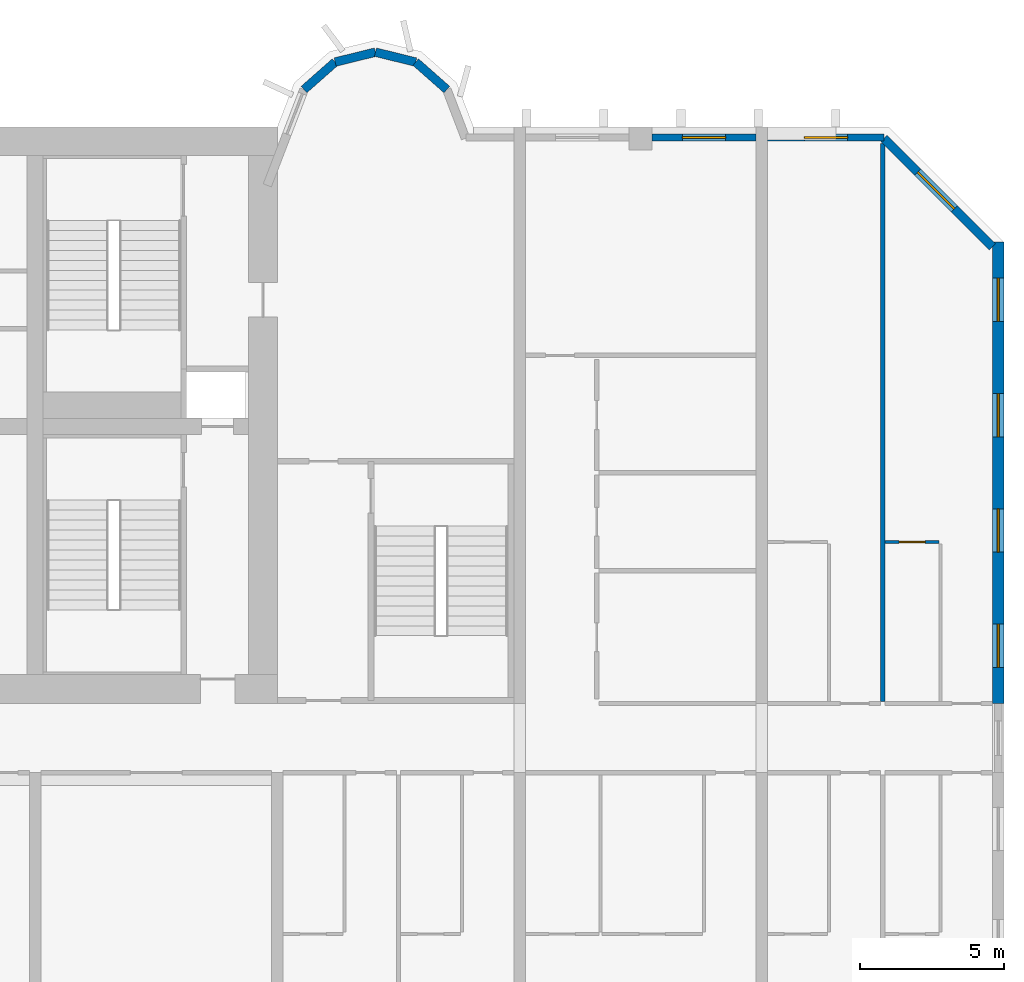
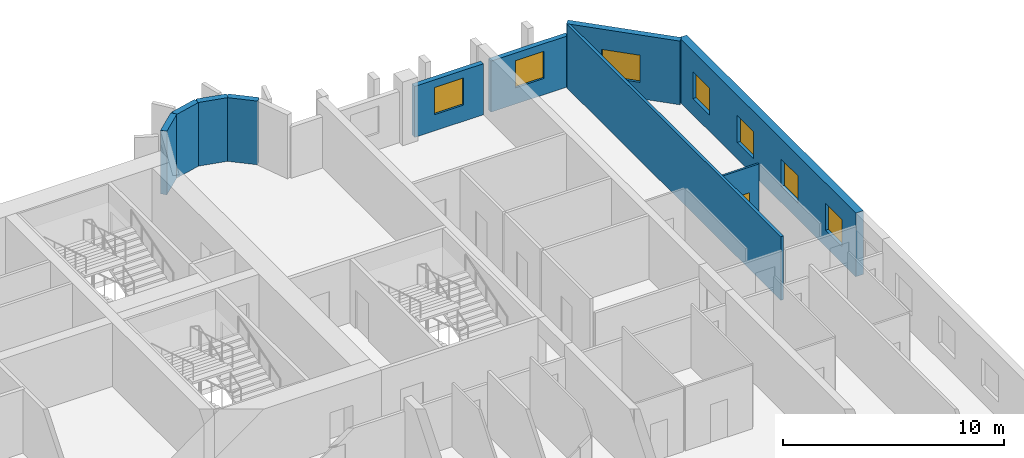
# One storey, part 11 of 15: 10 walls, 7 windows, 1 door, 8 openings.
"""IFC4 building model written with IfcOpenShell, lengths in metres."""

from ifc_helpers import new_model, si_unit, direction, frame, frame_2d, origin, place, context, subcontext, project, spatial, rectangle, extrude, source, transform, mapped, material, layer, layer_set, type_object, element, fill, save


model = new_model("IFC4")

# Units and contexts
model_context = context("Model", 3, precision=1e-05, world=origin(), true_north=direction((0.0, 1.0)))
body_context = subcontext(model_context, "Body", "Model", "MODEL_VIEW")
ifc_project = project(units=[si_unit("LENGTHUNIT", "METRE"), si_unit("AREAUNIT", "SQUARE_METRE"), si_unit("VOLUMEUNIT", "CUBIC_METRE"), si_unit("PLANEANGLEUNIT", "RADIAN"), si_unit("MASSUNIT", "GRAM", prefix="KILO")], contexts=[model_context])

# Site, building, storey
site_placement = place(None, origin())
site = spatial("IfcSite", under=ifc_project, at=site_placement, CompositionType="ELEMENT")
building_placement = place(site_placement, origin())
building = spatial("IfcBuilding", under=site, at=building_placement, Name="Vanashikhar Sky Hotel", CompositionType="ELEMENT")
storey_placement = place(building_placement, frame((0.0, 0.0, 77.199951171875)))
storey = spatial("IfcBuildingStorey", under=building, at=storey_placement, Name="L18", CompositionType="ELEMENT", Elevation=77.199951171875)

# Wall, openings, windows
ifc_material_1 = material(Name="Concrete M80", Category="concrete")
ifc_layer_1 = layer(ifc_material_1, 0.39990234375)
ifc_layer_set_1 = layer_set([ifc_layer_1], Name="RC shear wall 400 Concrete M80")
wall_type_1 = type_object("IfcWallType", Name="RC shear wall 400 Concrete M80", PredefinedType="SHEAR", material=ifc_layer_set_1)
shared_shape_1 = source(origin(), body_context, "Body", "SweptSolid", [
    extrude(rectangle(XDim=16.0, YDim=0.39990234375, at=frame_2d((8.0, 0.0))), origin(), (0.0, 0.0, 1.0), 3.52001953125),
])
wall_1_placement = place(storey_placement, frame((100.60009765625, 22.0, 0.0), z_axis=(0.0, 0.0, 1.0), x_axis=(0.0, 1.0, 0.0)))
wall_1 = element("IfcWall", 1, at=wall_1_placement, inside=storey, type_object=wall_type_1, Name="CW-L18-XW13-2", PredefinedType="SHEAR", context=body_context, shape_type="MappedRepresentation", body=[
    mapped(shared_shape_1, transform((0.0, 0.0, 0.0), scale=1.0)),
])
shared_shape_2 = source(origin(), body_context, "Body", "SweptSolid", [
    extrude(rectangle(XDim=1.5, YDim=1.5, at=frame_2d((0.75, 0.75))), frame((0.0, 0.2099609375, 0.0), z_axis=(0.0, -1.0, 0.0), x_axis=(1.0, 0.0, 0.0)), (0.0, 0.0, 1.0), 0.419921875),
])
opening_1_placement = place(wall_1_placement, frame((1.25, 0.0, 0.89990234375)))
opening_1 = element("IfcOpeningElement", 2, at=opening_1_placement, cuts=wall_1, Name="Opening WN-1", PredefinedType="OPENING", context=body_context, shape_type="MappedRepresentation", body=[
    mapped(shared_shape_2, transform((0.0, 0.0, 0.0), scale=1.0)),
])
opening_2_placement = place(wall_1_placement, frame((5.25, 0.0, 0.89990234375)))
opening_2 = element("IfcOpeningElement", 3, at=opening_2_placement, cuts=wall_1, Name="Opening WN-1", PredefinedType="OPENING", context=body_context, shape_type="MappedRepresentation", body=[
    mapped(shared_shape_2, transform((0.0, 0.0, 0.0), scale=1.0)),
])
opening_3_placement = place(wall_1_placement, frame((9.25, 0.0, 0.89990234375)))
opening_3 = element("IfcOpeningElement", 4, at=opening_3_placement, cuts=wall_1, Name="Opening WN-1", PredefinedType="OPENING", context=body_context, shape_type="MappedRepresentation", body=[
    mapped(shared_shape_2, transform((0.0, 0.0, 0.0), scale=1.0)),
])
opening_4_placement = place(wall_1_placement, frame((13.25, 0.0, 0.89990234375)))
opening_4 = element("IfcOpeningElement", 5, at=opening_4_placement, cuts=wall_1, Name="Opening WN-1", PredefinedType="OPENING", context=body_context, shape_type="MappedRepresentation", body=[
    mapped(shared_shape_2, transform((0.0, 0.0, 0.0), scale=1.0)),
])
ifc_material_2 = material(Name="Glass", Category="glass")
window_type_1 = type_object("IfcWindowType", Name="Window 1500 x 1500", PartitioningType="SINGLE_PANEL", PredefinedType="WINDOW", material=ifc_material_2)
shared_shape_3 = source(origin(), body_context, "Body", "SweptSolid", [
    extrude(rectangle(XDim=1.5, YDim=1.5, at=frame_2d((0.75, 0.75))), frame((0.0, 0.030029296875, 0.0), z_axis=(0.0, -1.0, 0.0), x_axis=(1.0, 0.0, 0.0)), (0.0, 0.0, 1.0), 0.06005859375),
])
window_1_placement = place(opening_1_placement, origin())
window_1 = element("IfcWindow", 6, at=window_1_placement, inside=storey, type_object=window_type_1, Name="Window WN-1", OverallHeight=1.5, OverallWidth=1.5, PartitioningType="SINGLE_PANEL", PredefinedType="WINDOW", context=body_context, shape_type="MappedRepresentation", body=[
    mapped(shared_shape_3, transform((0.0, 0.0, 0.0), scale=1.0)),
])
fill(opening_1, window_1)
window_2_placement = place(opening_2_placement, origin())
window_2 = element("IfcWindow", 7, at=window_2_placement, inside=storey, type_object=window_type_1, Name="Window WN-1", OverallHeight=1.5, OverallWidth=1.5, PartitioningType="SINGLE_PANEL", PredefinedType="WINDOW", context=body_context, shape_type="MappedRepresentation", body=[
    mapped(shared_shape_3, transform((0.0, 0.0, 0.0), scale=1.0)),
])
fill(opening_2, window_2)
window_3_placement = place(opening_3_placement, origin())
window_3 = element("IfcWindow", 8, at=window_3_placement, inside=storey, type_object=window_type_1, Name="Window WN-1", OverallHeight=1.5, OverallWidth=1.5, PartitioningType="SINGLE_PANEL", PredefinedType="WINDOW", context=body_context, shape_type="MappedRepresentation", body=[
    mapped(shared_shape_3, transform((0.0, 0.0, 0.0), scale=1.0)),
])
fill(opening_3, window_3)
window_4_placement = place(opening_4_placement, origin())
window_4 = element("IfcWindow", 9, at=window_4_placement, inside=storey, type_object=window_type_1, Name="Window WN-1", OverallHeight=1.5, OverallWidth=1.5, PartitioningType="SINGLE_PANEL", PredefinedType="WINDOW", context=body_context, shape_type="MappedRepresentation", body=[
    mapped(shared_shape_3, transform((0.0, 0.0, 0.0), scale=1.0)),
])
fill(opening_4, window_4)

# Wall, opening, window
ifc_material_3 = material(Name="Concrete M50", Category="concrete")
ifc_layer_2 = layer(ifc_material_3, 0.300048828125)
ifc_layer_set_2 = layer_set([ifc_layer_2], Name="Lobe wall 300")
wall_type_2 = type_object("IfcWallType", Name="Lobe wall 300", PredefinedType="SOLIDWALL", material=ifc_layer_set_2)
shared_shape_4 = source(origin(), body_context, "Body", "SweptSolid", [
    extrude(rectangle(XDim=5.32568359375, YDim=0.300048828125, at=frame_2d((2.662841796875, 0.0))), origin(), (0.0, 0.0, 1.0), 3.52001953125),
])
wall_2_placement = place(storey_placement, frame((100.39990234375, 37.834228515625, 0.0), z_axis=(0.0, 0.0, 1.0), x_axis=(-0.707083859269, 0.707129702361, 0.0)))
wall_2 = element("IfcWall", 10, at=wall_2_placement, inside=storey, type_object=wall_type_2, Name="Corner wall", PredefinedType="SOLIDWALL", context=body_context, shape_type="MappedRepresentation", body=[
    mapped(shared_shape_4, transform((0.0, 0.0, 0.0), scale=1.0)),
])
shared_shape_5 = source(origin(), body_context, "Body", "SweptSolid", [
    extrude(rectangle(XDim=1.800048828125, YDim=1.5, at=frame_2d((0.89990234375, 0.75))), frame((0.0, 0.16015625, 0.0), z_axis=(0.0, -1.0, 0.0), x_axis=(1.0, 0.0, 0.0)), (0.0, 0.0, 1.0), 0.320068359375),
])
opening_5_placement = place(wall_2_placement, frame((1.871337890625, 0.0, 0.89990234375)))
opening_5 = element("IfcOpeningElement", 11, at=opening_5_placement, cuts=wall_2, Name="Opening WN-4", PredefinedType="OPENING", context=body_context, shape_type="MappedRepresentation", body=[
    mapped(shared_shape_5, transform((0.0, 0.0, 0.0), scale=1.0)),
])
window_type_2 = type_object("IfcWindowType", Name="Corner window 1800 x 1500", PartitioningType="SINGLE_PANEL", PredefinedType="WINDOW", material=ifc_material_2)
shared_shape_6 = source(origin(), body_context, "Body", "SweptSolid", [
    extrude(rectangle(XDim=1.800048828125, YDim=1.5, at=frame_2d((0.89990234375, 0.75))), frame((0.0, 0.030029296875, 0.0), z_axis=(0.0, -1.0, 0.0), x_axis=(1.0, 0.0, 0.0)), (0.0, 0.0, 1.0), 0.06005859375),
])
window_5_placement = place(opening_5_placement, origin())
window_5 = element("IfcWindow", 12, at=window_5_placement, inside=storey, type_object=window_type_2, Name="Window WN-4", OverallHeight=1.5, OverallWidth=1.800048828125, PartitioningType="SINGLE_PANEL", PredefinedType="WINDOW", context=body_context, shape_type="MappedRepresentation", body=[
    mapped(shared_shape_6, transform((0.0, 0.0, 0.0), scale=1.0)),
])
fill(opening_5, window_5)

# Walls
shared_shape_7 = source(origin(), body_context, "Body", "SweptSolid", [
    extrude(rectangle(XDim=1.438720703125, YDim=0.300048828125, at=frame_2d((0.71923828125, 0.0))), origin(), (0.0, 0.0, 1.0), 3.52001953125),
])
for number, where, z_axis, x_axis, name in (
    (13, (80.397216796875, 44.2451171875, 0.0), (0.0, 0.0, 1.0), (-0.971161932466, 0.238420848351, 0.0), "Lobe wall"),
    (14, (79.0, 44.588134765625, 0.0), (0.0, 0.0, 1.0), (-0.971161932466, -0.238420848351, 0.0), "Lobe wall"),
):
    element("IfcWall", number, at=place(storey_placement, frame(where, z_axis=z_axis, x_axis=x_axis)), inside=storey, type_object=wall_type_2, Name=name, PredefinedType="SOLIDWALL", context=body_context, shape_type="MappedRepresentation", body=[
        mapped(shared_shape_7, transform((0.0, 0.0, 0.0), scale=1.0)),
    ])
shared_shape_8 = source(origin(), body_context, "Body", "SweptSolid", [
    extrude(rectangle(XDim=1.43994140625, YDim=0.300048828125, at=frame_2d((0.719970703125, 0.0))), origin(), (0.0, 0.0, 1.0), 3.52001953125),
])
for number, where, z_axis, x_axis, name in (
    (15, (81.4765625, 43.2919921875, 0.0), (0.0, 0.0, 1.0), (-0.74957555648, 0.661918790432, 0.0), "Lobe wall"),
    (16, (77.602783203125, 44.2451171875, 0.0), (0.0, 0.0, 1.0), (-0.74957555648, -0.661918790432, 0.0), "Lobe wall"),
):
    element("IfcWall", number, at=place(storey_placement, frame(where, z_axis=z_axis, x_axis=x_axis)), inside=storey, type_object=wall_type_2, Name=name, PredefinedType="SOLIDWALL", context=body_context, shape_type="MappedRepresentation", body=[
        mapped(shared_shape_8, transform((0.0, 0.0, 0.0), scale=1.0)),
    ])

# Wall, opening, window
ifc_layer_3 = layer(ifc_material_3, 0.25)
ifc_layer_set_3 = layer_set([ifc_layer_3], Name="Rear and end board-marked wall 250")
wall_type_3 = type_object("IfcWallType", Name="Rear and end board-marked wall 250", PredefinedType="SOLIDWALL", material=ifc_layer_set_3)
shared_shape_9 = source(origin(), body_context, "Body", "SweptSolid", [
    extrude(rectangle(XDim=3.599853515625, YDim=0.25, at=frame_2d((1.7998046875, 0.0))), origin(), (0.0, 0.0, 1.0), 2.820068359375),
])
wall_3_placement = place(storey_placement, frame((92.199951171875, 41.625, 0.0), z_axis=(0.0, 0.0, 1.0), x_axis=(-1.0, 0.0, 0.0)))
wall_3 = element("IfcWall", 17, at=wall_3_placement, inside=storey, type_object=wall_type_3, Name="Rear board-marked wall", PredefinedType="SOLIDWALL", context=body_context, shape_type="MappedRepresentation", body=[
    mapped(shared_shape_9, transform((0.0, 0.0, 0.0), scale=1.0)),
])
shared_shape_10 = source(origin(), body_context, "Body", "SweptSolid", [
    extrude(rectangle(XDim=1.5, YDim=1.5, at=frame_2d((0.75, 0.75))), frame((0.0, 0.135009765625, 0.0), z_axis=(0.0, -1.0, 0.0), x_axis=(1.0, 0.0, 0.0)), (0.0, 0.0, 1.0), 0.27001953125),
])
opening_6_placement = place(wall_3_placement, frame((1.050048828125, 0.0, 0.89990234375)))
opening_6 = element("IfcOpeningElement", 18, at=opening_6_placement, cuts=wall_3, Name="Opening WN-1", PredefinedType="OPENING", context=body_context, shape_type="MappedRepresentation", body=[
    mapped(shared_shape_10, transform((0.0, 0.0, 0.0), scale=1.0)),
])
window_6_placement = place(opening_6_placement, origin())
window_6 = element("IfcWindow", 19, at=window_6_placement, inside=storey, type_object=window_type_1, Name="Window WN-1", OverallHeight=1.5, OverallWidth=1.5, PartitioningType="SINGLE_PANEL", PredefinedType="WINDOW", context=body_context, shape_type="MappedRepresentation", body=[
    mapped(shared_shape_3, transform((0.0, 0.0, 0.0), scale=1.0)),
])
fill(opening_6, window_6)

shared_shape_11 = source(origin(), body_context, "Body", "SweptSolid", [
    extrude(rectangle(XDim=4.044677734375, YDim=0.25, at=frame_2d((2.0224609375, 0.0))), origin(), (0.0, 0.0, 1.0), 2.820068359375),
])
wall_4_placement = place(storey_placement, frame((96.644775390625, 41.625, 0.0), z_axis=(0.0, 0.0, 1.0), x_axis=(-1.0, 0.0, 0.0)))
wall_4 = element("IfcWall", 20, at=wall_4_placement, inside=storey, type_object=wall_type_3, Name="Rear board-marked wall", PredefinedType="SOLIDWALL", context=body_context, shape_type="MappedRepresentation", body=[
    mapped(shared_shape_11, transform((0.0, 0.0, 0.0), scale=1.0)),
])
opening_7_placement = place(wall_4_placement, frame((1.272216796875, 0.0, 0.89990234375)))
opening_7 = element("IfcOpeningElement", 21, at=opening_7_placement, cuts=wall_4, Name="Opening WN-1", PredefinedType="OPENING", context=body_context, shape_type="MappedRepresentation", body=[
    mapped(shared_shape_10, transform((0.0, 0.0, 0.0), scale=1.0)),
])
window_7_placement = place(opening_7_placement, origin())
window_7 = element("IfcWindow", 22, at=window_7_placement, inside=storey, type_object=window_type_1, Name="Window WN-1", OverallHeight=1.5, OverallWidth=1.5, PartitioningType="SINGLE_PANEL", PredefinedType="WINDOW", context=body_context, shape_type="MappedRepresentation", body=[
    mapped(shared_shape_3, transform((0.0, 0.0, 0.0), scale=1.0)),
])
fill(opening_7, window_7)

# Wall
ifc_material_4 = material(Name="Gypsum plasterboard partition")
ifc_layer_4 = layer(ifc_material_4, 0.14990234375)
ifc_layer_set_4 = layer_set([ifc_layer_4], Name="Corridor and demising partition 150")
wall_type_4 = type_object("IfcWallType", Name="Corridor and demising partition 150", PredefinedType="PARTITIONING", material=ifc_layer_set_4)
shared_shape_12 = source(origin(), body_context, "Body", "SweptSolid", [
    extrude(rectangle(XDim=19.34716796875, YDim=0.14990234375, at=frame_2d((9.673583984375, 0.0))), origin(), (0.0, 0.0, 1.0), 3.52001953125),
])
wall_5_placement = place(storey_placement, frame((96.60009765625, 22.074951171875, 0.0), z_axis=(0.0, 0.0, 1.0), x_axis=(0.0, 1.0, 0.0)))
element("IfcWall", 23, at=wall_5_placement, inside=storey, type_object=wall_type_4, Name="W-L18-PW098", PredefinedType="PARTITIONING", context=body_context, shape_type="MappedRepresentation", body=[
    mapped(shared_shape_12, transform((0.0, 0.0, 0.0), scale=1.0)),
])

# Wall, opening, door
ifc_layer_5 = layer(ifc_material_4, 0.10009765625)
ifc_layer_set_5 = layer_set([ifc_layer_5], Name="Wet room partition 100")
wall_type_5 = type_object("IfcWallType", Name="Wet room partition 100", PredefinedType="PARTITIONING", material=ifc_layer_set_5)
shared_shape_13 = source(origin(), body_context, "Body", "SweptSolid", [
    extrude(rectangle(XDim=1.875, YDim=0.10009765625, at=frame_2d((0.9375, 0.0))), origin(), (0.0, 0.0, 1.0), 3.52001953125),
])
wall_6_placement = place(storey_placement, frame((96.675048828125, 27.60009765625, 0.0), z_axis=(0.0, 0.0, 1.0), x_axis=(1.0, 0.0, 0.0)))
wall_6 = element("IfcWall", 24, at=wall_6_placement, inside=storey, type_object=wall_type_5, Name="W-L18-PW096", PredefinedType="PARTITIONING", context=body_context, shape_type="MappedRepresentation", body=[
    mapped(shared_shape_13, transform((0.0, 0.0, 0.0), scale=1.0)),
])
shared_shape_14 = source(origin(), body_context, "Body", "SweptSolid", [
    extrude(rectangle(XDim=0.89990234375, YDim=2.10009765625, at=frame_2d((0.449951171875, 1.050048828125))), frame((0.0, 0.06005859375, 0.0), z_axis=(0.0, -1.0, 0.0), x_axis=(1.0, 0.0, 0.0)), (0.0, 0.0, 1.0), 0.1201171875),
])
opening_8_placement = place(wall_6_placement, frame((0.488037109375, 0.0, 0.0)))
opening_8 = element("IfcOpeningElement", 25, at=opening_8_placement, cuts=wall_6, Name="Opening D-02", PredefinedType="OPENING", context=body_context, shape_type="MappedRepresentation", body=[
    mapped(shared_shape_14, transform((0.0, 0.0, 0.0), scale=1.0)),
])
ifc_material_5 = material(Name="Timber door", Category="wood")
door_type = type_object("IfcDoorType", Name="Internal door 900", OperationType="NOTDEFINED", PredefinedType="DOOR", material=ifc_material_5)
shared_shape_15 = source(origin(), body_context, "Body", "SweptSolid", [
    extrude(rectangle(XDim=0.89990234375, YDim=2.10009765625, at=frame_2d((0.449951171875, 1.050048828125))), frame((0.0, 0.02490234375, 0.0), z_axis=(0.0, -1.0, 0.0), x_axis=(1.0, 0.0, 0.0)), (0.0, 0.0, 1.0), 0.050048828125),
])
door_placement = place(opening_8_placement, origin())
door = element("IfcDoor", 26, at=door_placement, inside=storey, type_object=door_type, Name="D-L18-055", OperationType="SINGLE_SWING_RIGHT", OverallHeight=2.10009765625, OverallWidth=0.89990234375, PredefinedType="DOOR", context=body_context, shape_type="MappedRepresentation", body=[
    mapped(shared_shape_15, transform((0.0, 0.0, 0.0), scale=1.0)),
])
fill(opening_8, door)

save(model, "model.ifc")
